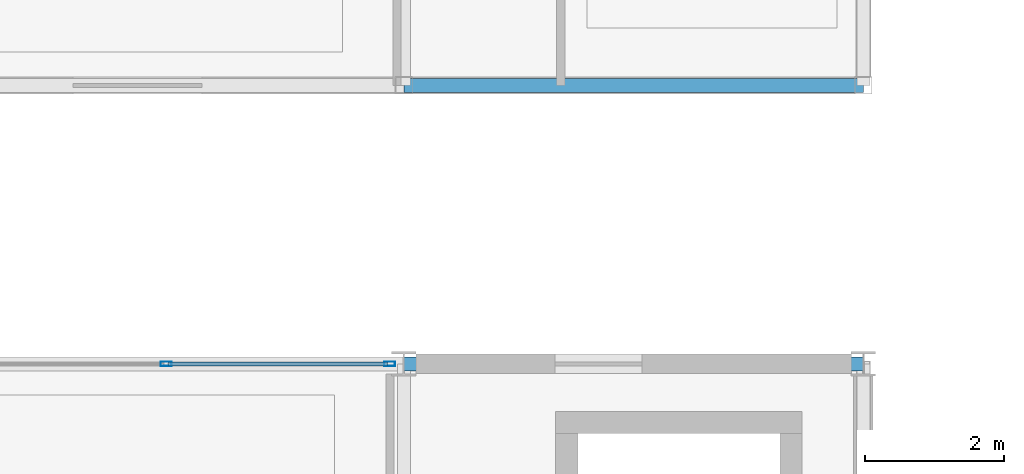
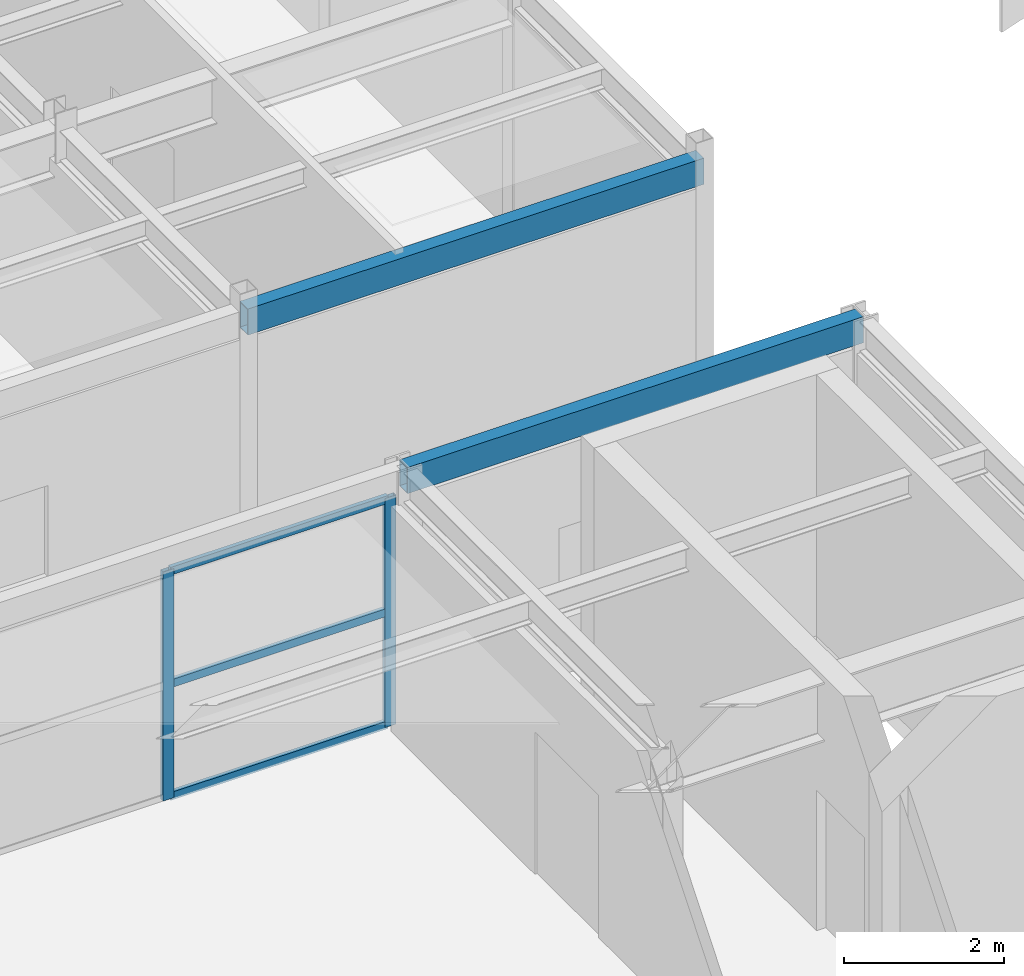
# One storey, part 23 of 147: 5 members, 2 beams, 1 element without a shape of its own.
"""IFC4 building model written with IfcOpenShell, lengths in metres."""

from ifc_helpers import new_model, si_unit, direction, frame, origin, origin_2d, place, context, subcontext, project, spatial, hollow_rectangle, extrude, material, material_profile, profile_set, type_object, element, aggregate, save


model = new_model("IFC4")

# Units and contexts
model_context = context("Model", 3, precision=1e-05, world=origin(), true_north=direction((0.0, 1.0)))
body_context = subcontext(model_context, "Body", "Model", "MODEL_VIEW")
ifc_project = project(units=[si_unit("LENGTHUNIT", "METRE"), si_unit("AREAUNIT", "SQUARE_METRE"), si_unit("VOLUMEUNIT", "CUBIC_METRE"), si_unit("PLANEANGLEUNIT", "RADIAN"), si_unit("MASSUNIT", "GRAM", prefix="KILO")], contexts=[model_context])

# Site, building, storey
site_placement = place(None, origin())
site = spatial("IfcSite", under=ifc_project, at=site_placement, CompositionType="ELEMENT")
building_placement = place(site_placement, origin())
building = spatial("IfcBuilding", under=site, at=building_placement, Name="Karori Crest Natural Sciences Institute", CompositionType="ELEMENT")
storey_placement = place(building_placement, frame((0.0, 0.0, 9.10009765625)))
storey = spatial("IfcBuildingStorey", under=building, at=storey_placement, Name="L02", CompositionType="ELEMENT", Elevation=9.10009765625)

# Beams
ifc_material_1 = material(Name="Hollow structural steel AS/NZS 1163 Grade C350", Category="steel")
ifc_material_profile_1 = material_profile(ifc_material_1, hollow_rectangle(XDim=0.199951171875, YDim=0.39990234375, WallThickness=0.012451171875, at=origin_2d()), Name="RHS400x200x12.5")
ifc_profile_set_1 = profile_set([ifc_material_profile_1], Name="Hollow structural steel AS/NZS 1163 Grade C350")
beam_type = type_object("IfcBeamType", Name="BT-14", PredefinedType="SPANDREL", material=ifc_profile_set_1)
for number, where, z_axis, x_axis, name in (
    (1, (20.60009765625, 27.199951171875, 3.719970703125), (1.0, 0.0, 0.0), (0.0, 1.0, 0.0), "Beam B-0852"),
    (2, (20.60009765625, 31.199951171875, 3.719970703125), (1.0, 0.0, 0.0), (0.0, 1.0, 0.0), "Beam B-1078"),
):
    element("IfcBeam", number, at=place(storey_placement, frame(where, z_axis=z_axis, x_axis=x_axis)), inside=storey, type_object=beam_type, Name=name, PredefinedType="SPANDREL", context=body_context, shape_type="SweptSolid", body=[
        extrude(hollow_rectangle(XDim=0.199951171875, YDim=0.39990234375, WallThickness=0.012451171875, at=origin_2d()), origin(), (0.0, 0.0, 1.0), 6.599853515625),
    ])

# Curtain wall, members
ifc_material_2 = material(Name="Anodised architectural aluminium 6063-T6", Category="aluminium")
curtain_wall_type = type_object("IfcCurtainWallType", Name="CWT-16", PredefinedType="NOTDEFINED", material=ifc_material_2)
curtain_wall_placement = place(storey_placement, origin())
curtain_wall = element("IfcCurtainWall", 3, at=curtain_wall_placement, inside=storey, type_object=curtain_wall_type, Name="Curtain wall CW-0253", PredefinedType="NOTDEFINED")
ifc_material_profile_2 = material_profile(ifc_material_2, hollow_rectangle(XDim=0.06494140625, YDim=0.159912109375, WallThickness=0.00390625, at=origin_2d()), Name="CWM160x65x4")
ifc_profile_set_2 = profile_set([ifc_material_profile_2], Name="Anodised architectural aluminium 6063-T6")
member_type_1 = type_object("IfcMemberType", Name="CWM-01", PredefinedType="MULLION", material=ifc_profile_set_2)
member_1_placement = place(storey_placement, frame((17.1845703125, 27.199951171875, 0.0), z_axis=(0.0, 0.0, 1.0), x_axis=(0.0, 1.0, 0.0)))
member_1 = element("IfcMember", 4, at=member_1_placement, type_object=member_type_1, Name="CW-0253 mullion 6", PredefinedType="MULLION", context=body_context, shape_type="SweptSolid", body=[
    extrude(hollow_rectangle(XDim=0.06494140625, YDim=0.159912109375, WallThickness=0.00390625, at=origin_2d()), origin(), (0.0, 0.0, 1.0), 3.5048828125),
])
member_2_placement = place(storey_placement, frame((20.39453125, 27.199951171875, 0.0), z_axis=(0.0, 0.0, 1.0), x_axis=(0.0, 1.0, 0.0)))
member_2 = element("IfcMember", 5, at=member_2_placement, type_object=member_type_1, Name="CW-0253 mullion 7", PredefinedType="MULLION", context=body_context, shape_type="SweptSolid", body=[
    extrude(hollow_rectangle(XDim=0.06494140625, YDim=0.159912109375, WallThickness=0.00390625, at=origin_2d()), origin(), (0.0, 0.0, 1.0), 3.5048828125),
])
ifc_material_profile_3 = material_profile(ifc_material_2, hollow_rectangle(XDim=0.06005859375, YDim=0.1201171875, WallThickness=0.00390625, at=origin_2d()), Name="CWT120x60x4")
ifc_profile_set_3 = profile_set([ifc_material_profile_3], Name="Anodised architectural aluminium 6063-T6")
member_type_2 = type_object("IfcMemberType", Name="CWT-TR1", PredefinedType="USERDEFINED", material=ifc_profile_set_3)
member_3_placement = place(storey_placement, frame((17.21728515625, 27.199951171875, 0.02978515625), z_axis=(1.0, 0.0, 0.0), x_axis=(0.0, 1.0, 0.0)))
member_3 = element("IfcMember", 6, at=member_3_placement, type_object=member_type_2, Name="CW-0253 transom 6.1", ObjectType="TRANSOM", PredefinedType="USERDEFINED", context=body_context, shape_type="SweptSolid", body=[
    extrude(hollow_rectangle(XDim=0.06005859375, YDim=0.1201171875, WallThickness=0.00390625, at=origin_2d()), origin(), (0.0, 0.0, 1.0), 3.144775390625),
])
member_4_placement = place(storey_placement, frame((17.21728515625, 27.199951171875, 1.75244140625), z_axis=(1.0, 0.0, 0.0), x_axis=(0.0, 1.0, 0.0)))
member_4 = element("IfcMember", 7, at=member_4_placement, type_object=member_type_2, Name="CW-0253 transom 6.2", ObjectType="TRANSOM", PredefinedType="USERDEFINED", context=body_context, shape_type="SweptSolid", body=[
    extrude(hollow_rectangle(XDim=0.06005859375, YDim=0.1201171875, WallThickness=0.00390625, at=origin_2d()), origin(), (0.0, 0.0, 1.0), 3.144775390625),
])
member_5_placement = place(storey_placement, frame((17.21728515625, 27.199951171875, 3.474853515625), z_axis=(1.0, 0.0, 0.0), x_axis=(0.0, 1.0, 0.0)))
member_5 = element("IfcMember", 8, at=member_5_placement, type_object=member_type_2, Name="CW-0253 transom 6.3", ObjectType="TRANSOM", PredefinedType="USERDEFINED", context=body_context, shape_type="SweptSolid", body=[
    extrude(hollow_rectangle(XDim=0.06005859375, YDim=0.1201171875, WallThickness=0.00390625, at=origin_2d()), origin(), (0.0, 0.0, 1.0), 3.144775390625),
])
aggregate(curtain_wall, [member_1, member_2, member_3, member_4, member_5])

save(model, "model.ifc")
